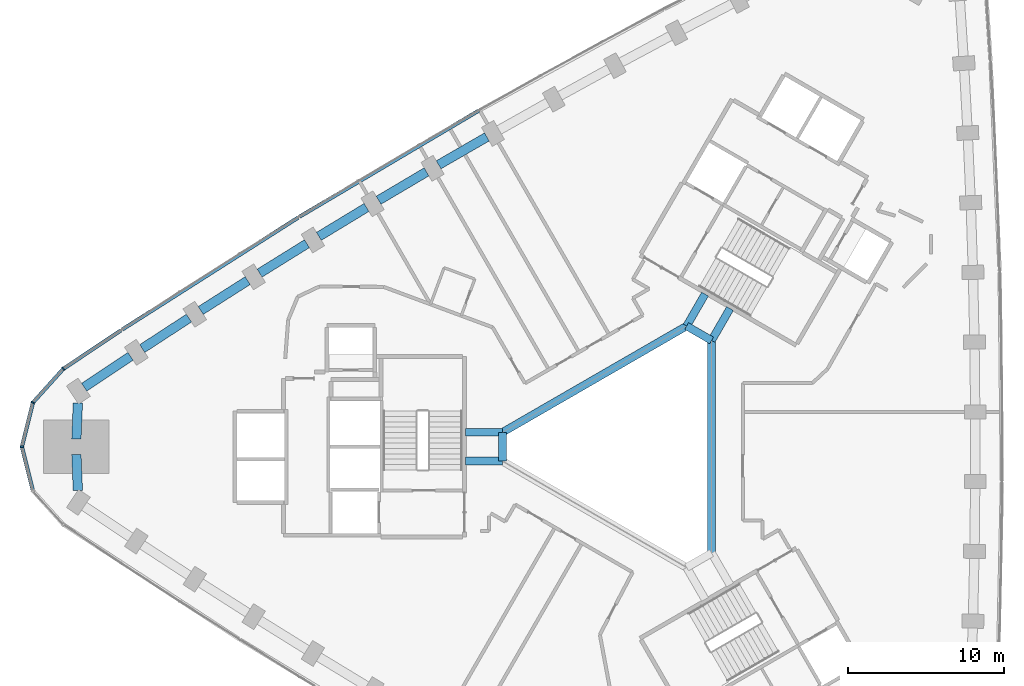
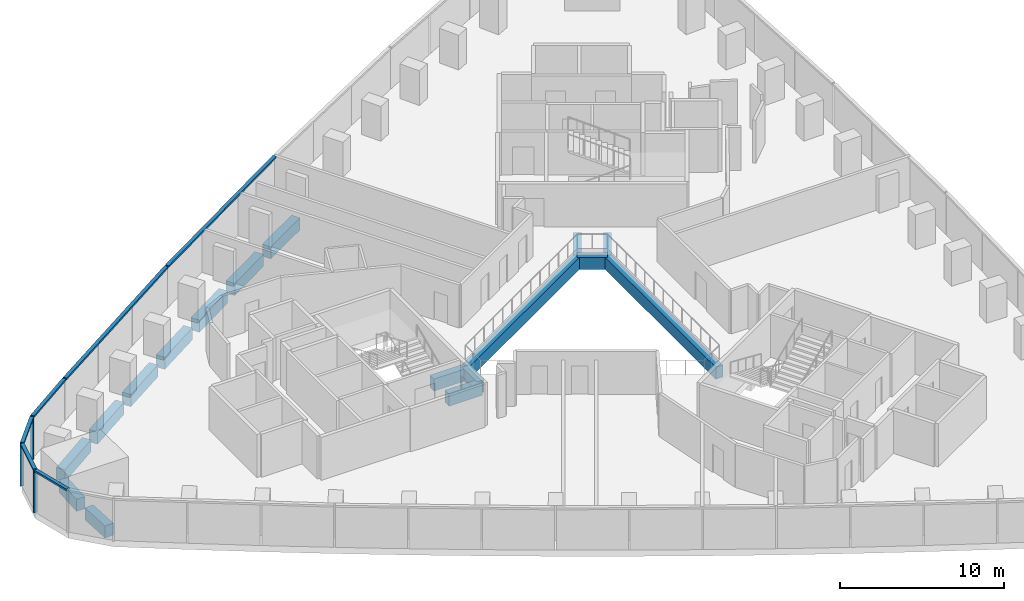
# One storey, part 4 of 12: 17 beams, 9 members, 1 element without a shape of its own.
"""IFC4 building model written with IfcOpenShell, lengths in metres."""

from ifc_helpers import new_model, si_unit, direction, frame, origin, origin_2d, place, context, subcontext, project, spatial, rectangle, extrude, material, material_profile, profile_set, type_object, element, aggregate, save


model = new_model("IFC4")

# Units and contexts
model_context = context("Model", 3, precision=1e-05, world=origin(), true_north=direction((0.0, 1.0)))
body_context = subcontext(model_context, "Body", "Model", "MODEL_VIEW")
ifc_project = project(units=[si_unit("LENGTHUNIT", "METRE"), si_unit("AREAUNIT", "SQUARE_METRE"), si_unit("VOLUMEUNIT", "CUBIC_METRE"), si_unit("PLANEANGLEUNIT", "RADIAN"), si_unit("MASSUNIT", "GRAM", prefix="KILO")], contexts=[model_context])

# Site, building, storey
site_placement = place(None, origin())
site = spatial("IfcSite", under=ifc_project, at=site_placement, CompositionType="ELEMENT")
building_placement = place(site_placement, origin())
building = spatial("IfcBuilding", under=site, at=building_placement, Name="Tamra Quay Hotel Tower", CompositionType="ELEMENT")
storey_placement = place(building_placement, frame((0.0, 0.0, 71.0)))
storey = spatial("IfcBuildingStorey", under=building, at=storey_placement, Name="L16", CompositionType="ELEMENT", Elevation=71.0)

# Beams
ifc_material_1 = material(Name="Concrete M60", Category="concrete")
ifc_material_profile_1 = material_profile(ifc_material_1, rectangle(XDim=0.5, YDim=0.89990234375, at=origin_2d()), Name="ATRIUM EDGE BEAM RC 500x900")
ifc_profile_set_1 = profile_set([ifc_material_profile_1], Name="Concrete M60")
beam_type_1 = type_object("IfcBeamType", Name="ATRIUM EDGE BEAM RC 500x900", PredefinedType="BEAM", material=ifc_profile_set_1)
beam_1_placement = place(storey_placement, frame((5.0, 6.812744140625, -0.925048828125), z_axis=(0.0, -1.0, 0.0), x_axis=(1.0, 0.0, 0.0)))
element("IfcBeam", 1, at=beam_1_placement, inside=storey, type_object=beam_type_1, Name="BM-AB0-L16", PredefinedType="BEAM", context=body_context, shape_type="SweptSolid", body=[
    extrude(rectangle(XDim=0.5, YDim=0.89990234375, at=origin_2d()), origin(), (0.0, 0.0, 1.0), 13.62548828125),
])
beam_2_placement = place(storey_placement, frame((-8.39990234375, -0.923828125, -0.925048828125), z_axis=(0.0, 1.0, 0.0), x_axis=(-1.0, 0.0, 0.0)))
element("IfcBeam", 2, at=beam_2_placement, inside=storey, type_object=beam_type_1, Name="BM-AB3-L16", PredefinedType="BEAM", context=body_context, shape_type="SweptSolid", body=[
    extrude(rectangle(XDim=0.5, YDim=0.89990234375, at=origin_2d()), origin(), (0.0, 0.0, 1.0), 1.84765625),
])
beam_3_placement = place(storey_placement, frame((-8.39990234375, 0.923828125, -0.925048828125), z_axis=(0.866021471679, 0.500006810544, 0.0), x_axis=(-0.500006810544, 0.866021471679, 0.0)))
element("IfcBeam", 3, at=beam_3_placement, inside=storey, type_object=beam_type_1, Name="BM-AB4-L16", PredefinedType="BEAM", context=body_context, shape_type="SweptSolid", body=[
    extrude(rectangle(XDim=0.5, YDim=0.89990234375, at=origin_2d()), origin(), (0.0, 0.0, 1.0), 13.625244140625),
])
beam_4_placement = place(storey_placement, frame((3.39990234375, 7.736572265625, -0.925048828125), z_axis=(0.86602275259, -0.500004591975, 0.0), x_axis=(0.500004591975, 0.86602275259, 0.0)))
element("IfcBeam", 4, at=beam_4_placement, inside=storey, type_object=beam_type_1, Name="BM-AB5-L16", PredefinedType="BEAM", context=body_context, shape_type="SweptSolid", body=[
    extrude(rectangle(XDim=0.5, YDim=0.89990234375, at=origin_2d()), origin(), (0.0, 0.0, 1.0), 1.84765625),
])
ifc_material_profile_2 = material_profile(ifc_material_1, rectangle(XDim=0.5, YDim=0.89990234375, at=origin_2d()), Name="ATRIUM TIE BEAM RC 500x900")
ifc_profile_set_2 = profile_set([ifc_material_profile_2], Name="Concrete M60")
beam_type_2 = type_object("IfcBeamType", Name="ATRIUM TIE BEAM RC 500x900", PredefinedType="BEAM", material=ifc_profile_set_2)
beam_5_placement = place(storey_placement, frame((5.0, 6.812744140625, -0.925048828125), z_axis=(0.500029618126, 0.866008303076, 0.0), x_axis=(-0.866008303076, 0.500029618126, 0.0)))
element("IfcBeam", 5, at=beam_5_placement, inside=storey, type_object=beam_type_2, Name="BM-TIE-0-L16", PredefinedType="BEAM", context=body_context, shape_type="SweptSolid", body=[
    extrude(rectangle(XDim=0.5, YDim=0.89990234375, at=origin_2d()), origin(), (0.0, 0.0, 1.0), 2.362060546875),
])
for number, where, z_axis, x_axis, name in (
    (6, (-8.39990234375, -0.923828125, -0.925048828125), (-1.0, 0.0, 0.0), (0.0, -1.0, 0.0), "BM-TIE-3-L16"),
    (7, (-8.39990234375, 0.923828125, -0.925048828125), (-1.0, 0.0, 0.0), (0.0, -1.0, 0.0), "BM-TIE-4-L16"),
):
    element("IfcBeam", number, at=place(storey_placement, frame(where, z_axis=z_axis, x_axis=x_axis)), inside=storey, type_object=beam_type_2, Name=name, PredefinedType="BEAM", context=body_context, shape_type="SweptSolid", body=[
        extrude(rectangle(XDim=0.5, YDim=0.89990234375, at=origin_2d()), origin(), (0.0, 0.0, 1.0), 2.3623046875),
    ])
beam_6_placement = place(storey_placement, frame((3.39990234375, 7.736572265625, -0.925048828125), z_axis=(0.500029618126, 0.866008303076, 0.0), x_axis=(-0.866008303076, 0.500029618126, 0.0)))
element("IfcBeam", 8, at=beam_6_placement, inside=storey, type_object=beam_type_2, Name="BM-TIE-5-L16", PredefinedType="BEAM", context=body_context, shape_type="SweptSolid", body=[
    extrude(rectangle(XDim=0.5, YDim=0.89990234375, at=origin_2d()), origin(), (0.0, 0.0, 1.0), 2.362060546875),
])

# Curtain wall, members
ifc_material_2 = material(Name="Aluminium 6063 anodised dark grey", Category="aluminium")
curtain_wall_type = type_object("IfcCurtainWallType", Name="CW2 CURTAIN WALL", PredefinedType="NOTDEFINED", material=ifc_material_2)
curtain_wall_placement = place(storey_placement, origin())
curtain_wall = element("IfcCurtainWall", 9, at=curtain_wall_placement, inside=storey, type_object=curtain_wall_type, Name="CW2 north-west face L16", PredefinedType="NOTDEFINED")
ifc_material_profile_3 = material_profile(ifc_material_2, rectangle(XDim=0.239990234375, YDim=0.10009765625, at=origin_2d()), Name="MULLION 100X240")
ifc_profile_set_3 = profile_set([ifc_material_profile_3], Name="Aluminium 6063 anodised dark grey")
member_type_1 = type_object("IfcMemberType", Name="MULLION CW2 Z1", PredefinedType="MULLION", material=ifc_profile_set_3)
member_1_placement = place(storey_placement, frame((-36.547607421875, 4.993896484375, 0.0), z_axis=(0.0, 0.0, 1.0), x_axis=(-0.654196774513, 0.756324388221, 0.0)))
member_1 = element("IfcMember", 10, at=member_1_placement, type_object=member_type_1, Name="CW2 mullion L16.NW.14", PredefinedType="MULLION", context=body_context, shape_type="SweptSolid", body=[
    extrude(rectangle(XDim=0.239990234375, YDim=0.10009765625, at=origin_2d()), origin(), (0.0, 0.0, 1.0), 3.199951171875),
])
member_2_placement = place(storey_placement, frame((-38.497802734375, 2.828125, 0.0), z_axis=(0.0, 0.0, 1.0), x_axis=(-0.882955345235, 0.469456982396, 0.0)))
member_2 = element("IfcMember", 11, at=member_2_placement, type_object=member_type_1, Name="CW2 mullion L16.NW.15", PredefinedType="MULLION", context=body_context, shape_type="SweptSolid", body=[
    extrude(rectangle(XDim=0.239990234375, YDim=0.10009765625, at=origin_2d()), origin(), (0.0, 0.0, 1.0), 3.199951171875),
])
member_3_placement = place(storey_placement, frame((-39.202880859375, 0.0, 0.0), z_axis=(0.0, 0.0, 1.0), x_axis=(-1.0, 0.0, 0.0)))
member_3 = element("IfcMember", 12, at=member_3_placement, type_object=member_type_1, Name="CW2 mullion L16.NW.16", PredefinedType="MULLION", context=body_context, shape_type="SweptSolid", body=[
    extrude(rectangle(XDim=0.239990234375, YDim=0.10009765625, at=origin_2d()), origin(), (0.0, 0.0, 1.0), 3.199951171875),
])

# Beams
ifc_material_profile_4 = material_profile(ifc_material_1, rectangle(XDim=0.60009765625, YDim=0.89990234375, at=origin_2d()), Name="SPANDREL BEAM RC 600x900")
ifc_profile_set_4 = profile_set([ifc_material_profile_4], Name="Concrete M60")
beam_type_3 = type_object("IfcBeamType", Name="SPANDREL BEAM RC 600x900", PredefinedType="SPANDREL", material=ifc_profile_set_4)
beam_7_placement = place(storey_placement, frame((-9.401123046875, 19.853759765625, -0.925048828125), z_axis=(-0.866017069707, -0.500014434768, 0.0), x_axis=(0.500014434768, -0.866017069707, 0.0)))
element("IfcBeam", 13, at=beam_7_placement, inside=storey, type_object=beam_type_3, Name="BM-SP1-021-L16", PredefinedType="SPANDREL", context=body_context, shape_type="SweptSolid", body=[
    extrude(rectangle(XDim=0.60009765625, YDim=0.89990234375, at=origin_2d()), origin(), (0.0, 0.0, 1.0), 3.57080078125),
])
beam_8_placement = place(storey_placement, frame((-13.270263671875, 17.6142578125, -0.925048828125), z_axis=(-0.860524689034, -0.509408735264, 0.0), x_axis=(0.509408735264, -0.860524689034, 0.0)))
element("IfcBeam", 14, at=beam_8_placement, inside=storey, type_object=beam_type_3, Name="BM-SP1-022-L16", PredefinedType="SPANDREL", context=body_context, shape_type="SweptSolid", body=[
    extrude(rectangle(XDim=0.60009765625, YDim=0.89990234375, at=origin_2d()), origin(), (0.0, 0.0, 1.0), 3.570556640625),
])
beam_9_placement = place(storey_placement, frame((-17.114990234375, 15.3330078125, -0.925048828125), z_axis=(-0.854966252085, -0.518683629775, 0.0), x_axis=(0.518683629775, -0.854966252085, 0.0)))
element("IfcBeam", 15, at=beam_9_placement, inside=storey, type_object=beam_type_3, Name="BM-SP1-023-L16", PredefinedType="SPANDREL", context=body_context, shape_type="SweptSolid", body=[
    extrude(rectangle(XDim=0.60009765625, YDim=0.89990234375, at=origin_2d()), origin(), (0.0, 0.0, 1.0), 3.56982421875),
])
beam_10_placement = place(storey_placement, frame((-20.93408203125, 13.010498046875, -0.925048828125), z_axis=(-0.849320953317, -0.527876802158, 0.0), x_axis=(0.527876802158, -0.849320953317, 0.0)))
element("IfcBeam", 16, at=beam_10_placement, inside=storey, type_object=beam_type_3, Name="BM-SP1-024-L16", PredefinedType="SPANDREL", context=body_context, shape_type="SweptSolid", body=[
    extrude(rectangle(XDim=0.60009765625, YDim=0.89990234375, at=origin_2d()), origin(), (0.0, 0.0, 1.0), 3.570556640625),
])
beam_11_placement = place(storey_placement, frame((-24.728515625, 10.646484375, -0.925048828125), z_axis=(-0.843593906333, -0.53698167678, 0.0), x_axis=(0.53698167678, -0.843593906333, 0.0)))
element("IfcBeam", 17, at=beam_11_placement, inside=storey, type_object=beam_type_3, Name="BM-SP1-025-L16", PredefinedType="SPANDREL", context=body_context, shape_type="SweptSolid", body=[
    extrude(rectangle(XDim=0.60009765625, YDim=0.89990234375, at=origin_2d()), origin(), (0.0, 0.0, 1.0), 3.5703125),
])
beam_12_placement = place(storey_placement, frame((-28.4970703125, 8.24169921875, -0.925048828125), z_axis=(-0.837739819239, -0.546069588296, 0.0), x_axis=(0.546069588296, -0.837739819239, 0.0)))
element("IfcBeam", 18, at=beam_12_placement, inside=storey, type_object=beam_type_3, Name="BM-SP1-026-L16", PredefinedType="SPANDREL", context=body_context, shape_type="SweptSolid", body=[
    extrude(rectangle(XDim=0.60009765625, YDim=0.89990234375, at=origin_2d()), origin(), (0.0, 0.0, 1.0), 3.570068359375),
])
beam_13_placement = place(storey_placement, frame((-32.239013671875, 5.796630859375, -0.925048828125), z_axis=(-0.831818807601, -0.555047269448, 0.0), x_axis=(0.555047269448, -0.831818807601, 0.0)))
element("IfcBeam", 19, at=beam_13_placement, inside=storey, type_object=beam_type_3, Name="BM-SP1-027-L16", PredefinedType="SPANDREL", context=body_context, shape_type="SweptSolid", body=[
    extrude(rectangle(XDim=0.60009765625, YDim=0.89990234375, at=origin_2d()), origin(), (0.0, 0.0, 1.0), 3.57080078125),
])
for number, where, z_axis, x_axis, name in (
    (20, (-35.614501953125, 2.805908203125, -0.925048828125), (-0.040711272802, -0.999170952474, 0.0), (0.999170952474, -0.040711272802, 0.0), "BM-SP1-028-L16"),
    (21, (-35.70849609375, -0.4990234375, -0.925048828125), (0.040711272802, -0.999170952474, 0.0), (0.999170952474, 0.040711272802, 0.0), "BM-SP1-029-L16"),
):
    element("IfcBeam", number, at=place(storey_placement, frame(where, z_axis=z_axis, x_axis=x_axis)), inside=storey, type_object=beam_type_3, Name=name, PredefinedType="SPANDREL", context=body_context, shape_type="SweptSolid", body=[
        extrude(rectangle(XDim=0.60009765625, YDim=0.89990234375, at=origin_2d()), origin(), (0.0, 0.0, 1.0), 2.308837890625),
    ])

# Member
ifc_material_profile_5 = material_profile(ifc_material_2, rectangle(XDim=0.239990234375, YDim=0.139892578125, at=origin_2d()), Name="TRANSOM 240X140")
ifc_profile_set_5 = profile_set([ifc_material_profile_5], Name="Aluminium 6063 anodised dark grey")
member_type_2 = type_object("IfcMemberType", Name="TRANSOM CW2 Z1", PredefinedType="USERDEFINED", material=ifc_profile_set_5)
member_4_placement = place(storey_placement, frame((-9.90869140625, 21.55126953125, 3.1298828125), z_axis=(-0.860560507804, -0.509348223133, 0.0), x_axis=(0.509348223133, -0.860560507804, 0.0)))
member_4 = element("IfcMember", 22, at=member_4_placement, type_object=member_type_2, Name="CW2 transom L16.NW.7", ObjectType="TRANSOM", PredefinedType="USERDEFINED", context=body_context, shape_type="SweptSolid", body=[
    extrude(rectangle(XDim=0.239990234375, YDim=0.139892578125, at=origin_2d()), origin(), (0.0, 0.0, 1.0), 13.36669921875),
])

member_5_placement = place(storey_placement, frame((-21.496826171875, 14.690673828125, 3.1298828125), z_axis=(-0.843574233819, -0.537012580892, 0.0), x_axis=(0.537012580892, -0.843574233819, 0.0)))
member_5 = element("IfcMember", 23, at=member_5_placement, type_object=member_type_2, Name="CW2 transom L16.NW.10", ObjectType="TRANSOM", PredefinedType="USERDEFINED", context=body_context, shape_type="SweptSolid", body=[
    extrude(rectangle(XDim=0.239990234375, YDim=0.139892578125, at=origin_2d()), origin(), (0.0, 0.0, 1.0), 13.366455078125),
])

member_6_placement = place(storey_placement, frame((-32.85595703125, 7.45751953125, 3.1298828125), z_axis=(-0.831801992413, -0.555072468618, 0.0), x_axis=(0.555072468618, -0.831801992413, 0.0)))
member_6 = element("IfcMember", 24, at=member_6_placement, type_object=member_type_2, Name="CW2 transom L16.NW.13", ObjectType="TRANSOM", PredefinedType="USERDEFINED", context=body_context, shape_type="SweptSolid", body=[
    extrude(rectangle(XDim=0.239990234375, YDim=0.139892578125, at=origin_2d()), origin(), (0.0, 0.0, 1.0), 4.38818359375),
])

member_7_placement = place(storey_placement, frame((-36.5810546875, 4.956787109375, 3.1298828125), z_axis=(-0.669142034262, -0.743134535588, 0.0), x_axis=(0.743134535588, -0.669142034262, 0.0)))
member_7 = element("IfcMember", 25, at=member_7_placement, type_object=member_type_2, Name="CW2 transom L16.NW.14", ObjectType="TRANSOM", PredefinedType="USERDEFINED", context=body_context, shape_type="SweptSolid", body=[
    extrude(rectangle(XDim=0.239990234375, YDim=0.139892578125, at=origin_2d()), origin(), (0.0, 0.0, 1.0), 2.814453125),
])

member_8_placement = place(storey_placement, frame((-38.510009765625, 2.779541015625, 3.1298828125), z_axis=(-0.241841612879, -0.970315739479, 0.0), x_axis=(0.970315739479, -0.241841612879, 0.0)))
member_8 = element("IfcMember", 26, at=member_8_placement, type_object=member_type_2, Name="CW2 transom L16.NW.15", ObjectType="TRANSOM", PredefinedType="USERDEFINED", context=body_context, shape_type="SweptSolid", body=[
    extrude(rectangle(XDim=0.239990234375, YDim=0.139892578125, at=origin_2d()), origin(), (0.0, 0.0, 1.0), 2.814453125),
])

member_9_placement = place(storey_placement, frame((-39.190673828125, -0.048583984375, 3.1298828125), z_axis=(0.241841612879, -0.970315739479, 0.0), x_axis=(0.970315739479, 0.241841612879, 0.0)))
member_9 = element("IfcMember", 27, at=member_9_placement, type_object=member_type_2, Name="CW2 transom L16.NW.16", ObjectType="TRANSOM", PredefinedType="USERDEFINED", context=body_context, shape_type="SweptSolid", body=[
    extrude(rectangle(XDim=0.239990234375, YDim=0.139892578125, at=origin_2d()), origin(), (0.0, 0.0, 1.0), 2.814453125),
])

aggregate(curtain_wall, [member_4, member_5, member_6, member_1, member_7, member_2, member_8, member_3, member_9])

save(model, "model.ifc")
